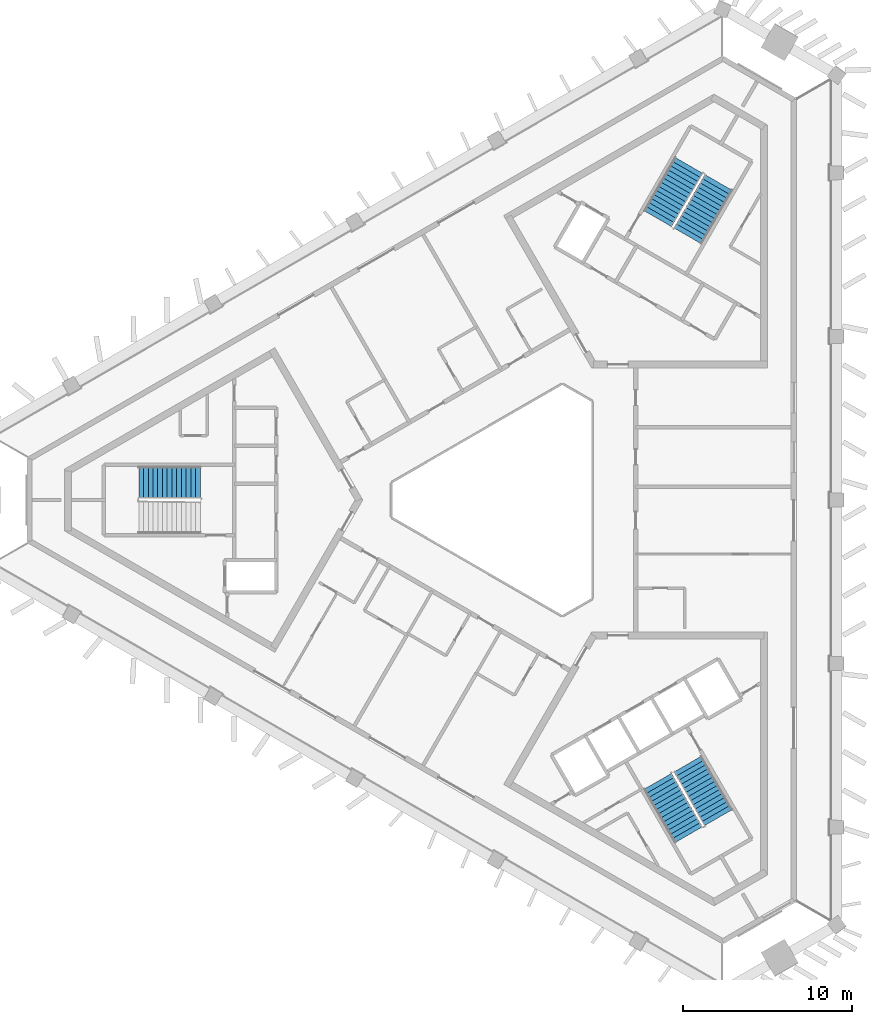
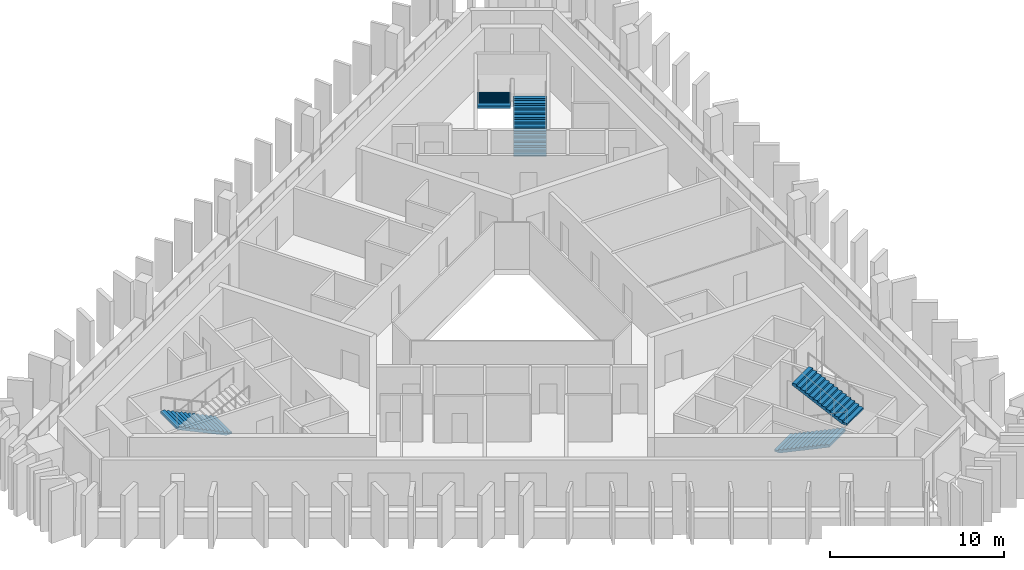
# One storey, part 6 of 9: 5 stair flights, 3 elements without a shape of their own.
"""IFC4 building model written with IfcOpenShell, lengths in metres."""

from ifc_helpers import new_model, si_unit, direction, frame, origin, place, context, subcontext, project, spatial, polyline, outline, extrude, material, type_object, element, aggregate, save


model = new_model("IFC4")

# Units and contexts
model_context = context("Model", 3, precision=1e-05, world=origin(), true_north=direction((0.0, 1.0)))
body_context = subcontext(model_context, "Body", "Model", "MODEL_VIEW")
ifc_project = project(units=[si_unit("LENGTHUNIT", "METRE"), si_unit("AREAUNIT", "SQUARE_METRE"), si_unit("VOLUMEUNIT", "CUBIC_METRE"), si_unit("PLANEANGLEUNIT", "RADIAN"), si_unit("MASSUNIT", "GRAM", prefix="KILO")], contexts=[model_context])

# Site, building, storey
site_placement = place(None, origin())
site = spatial("IfcSite", under=ifc_project, at=site_placement, CompositionType="ELEMENT")
building_placement = place(site_placement, origin())
building = spatial("IfcBuilding", under=site, at=building_placement, Name="Jabali Bay Hotel Tower and Convention Centre", CompositionType="ELEMENT")
storey_placement = place(building_placement, frame((0.0, 0.0, 281.199951171875)))
storey = spatial("IfcBuildingStorey", under=building, at=storey_placement, Name="L69", CompositionType="ELEMENT", Elevation=281.199951171875)

# Stair, stair flight
ifc_material = material(Name="Concrete C40", Category="concrete")
stair_type = type_object("IfcStairType", Name="Exit stair 1900", PredefinedType="HALF_TURN_STAIR", material=ifc_material)
stair_1_placement = place(storey_placement, origin())
stair_1 = element("IfcStair", 1, at=stair_1_placement, inside=storey, type_object=stair_type, Name="L69 Exit Stair 1", PredefinedType="HALF_TURN_STAIR")
stair_flight_type = type_object("IfcStairFlightType", Name="Stair flight concrete 150", PredefinedType="STRAIGHT", material=ifc_material)
stair_flight_1_placement = place(storey_placement, frame((56.419921875, 81.02490234375, 0.0), z_axis=(0.0, 0.0, 1.0), x_axis=(-1.0, 0.0, 0.0)))
stair_flight_1 = element("IfcStairFlight", 2, at=stair_flight_1_placement, type_object=stair_flight_type, Name="ST1 flight 1", NumberOfRisers=14, NumberOfTreads=13, PredefinedType="STRAIGHT", RiserHeight=0.132142857, TreadLength=0.28, context=body_context, shape_type="SweptSolid", body=[
    extrude(outline(polyline([(0.0, 0.0), (0.0, 0.132080078125), (0.280029296875, 0.132080078125), (0.280029296875, 0.264404296875), (0.56005859375, 0.264404296875), (0.56005859375, 0.396484375), (0.840087890625, 0.396484375), (0.840087890625, 0.528564453125), (1.1201171875, 0.528564453125), (1.1201171875, 0.66064453125), (1.39990234375, 0.66064453125), (1.39990234375, 0.79296875), (1.679931640625, 0.79296875), (1.679931640625, 0.925048828125), (1.9599609375, 0.925048828125), (1.9599609375, 1.05712890625), (2.239990234375, 1.05712890625), (2.239990234375, 1.189208984375), (2.52001953125, 1.189208984375), (2.52001953125, 1.321533203125), (2.800048828125, 1.321533203125), (2.800048828125, 1.45361328125), (3.080078125, 1.45361328125), (3.080078125, 1.585693359375), (3.360107421875, 1.585693359375), (3.360107421875, 1.7177734375), (3.639892578125, 1.7177734375), (3.639892578125, 1.85009765625), (3.639892578125, 1.552001953125), (0.351318359375, 0.0), (0.0, 0.0)])), frame((0.0, 0.949951171875, 0.0), z_axis=(0.0, -1.0, 0.0), x_axis=(1.0, 0.0, 0.0)), (0.0, 0.0, 1.0), 1.89990234375),
])
aggregate(stair_1, [stair_flight_1])

# Stair, stair flights
stair_2_placement = place(storey_placement, origin())
stair_2 = element("IfcStair", 3, at=stair_2_placement, inside=storey, type_object=stair_type, Name="L69 Exit Stair 2", PredefinedType="HALF_TURN_STAIR")
stair_flight_2_placement = place(storey_placement, frame((85.177734375, 95.578369140625, 0.0), z_axis=(0.0, 0.0, 1.0), x_axis=(0.5, 0.866025403784, 0.0)))
stair_flight_2 = element("IfcStairFlight", 4, at=stair_flight_2_placement, type_object=stair_flight_type, Name="ST2 flight 1", NumberOfRisers=14, NumberOfTreads=13, PredefinedType="STRAIGHT", RiserHeight=0.132142857, TreadLength=0.28, context=body_context, shape_type="SweptSolid", body=[
    extrude(outline(polyline([(0.0, 0.0), (0.0, 0.132080078125), (0.280029296875, 0.132080078125), (0.280029296875, 0.264404296875), (0.56005859375, 0.264404296875), (0.56005859375, 0.396484375), (0.840087890625, 0.396484375), (0.840087890625, 0.528564453125), (1.1201171875, 0.528564453125), (1.1201171875, 0.66064453125), (1.39990234375, 0.66064453125), (1.39990234375, 0.79296875), (1.679931640625, 0.79296875), (1.679931640625, 0.925048828125), (1.9599609375, 0.925048828125), (1.9599609375, 1.05712890625), (2.239990234375, 1.05712890625), (2.239990234375, 1.189208984375), (2.52001953125, 1.189208984375), (2.52001953125, 1.321533203125), (2.800048828125, 1.321533203125), (2.800048828125, 1.45361328125), (3.080078125, 1.45361328125), (3.080078125, 1.585693359375), (3.360107421875, 1.585693359375), (3.360107421875, 1.7177734375), (3.639892578125, 1.7177734375), (3.639892578125, 1.85009765625), (3.639892578125, 1.552001953125), (0.351318359375, 0.0), (0.0, 0.0)])), frame((0.0, 0.949951171875, 0.0), z_axis=(0.0, -1.0, 0.0), x_axis=(1.0, 0.0, 0.0)), (0.0, 0.0, 1.0), 1.89990234375),
])
stair_flight_3_placement = place(storey_placement, frame((85.222412109375, 99.755615234375, 1.85009765625), z_axis=(0.0, 0.0, 1.0), x_axis=(-0.5, -0.866025403784, 0.0)))
stair_flight_3 = element("IfcStairFlight", 5, at=stair_flight_3_placement, type_object=stair_flight_type, Name="ST2 flight 2", NumberOfRisers=14, NumberOfTreads=13, PredefinedType="STRAIGHT", RiserHeight=0.132142857, TreadLength=0.28, context=body_context, shape_type="SweptSolid", body=[
    extrude(outline(polyline([(0.0, 0.0), (0.0, 0.132080078125), (0.280029296875, 0.132080078125), (0.280029296875, 0.264404296875), (0.56005859375, 0.264404296875), (0.56005859375, 0.396484375), (0.840087890625, 0.396484375), (0.840087890625, 0.528564453125), (1.1201171875, 0.528564453125), (1.1201171875, 0.66064453125), (1.39990234375, 0.66064453125), (1.39990234375, 0.79296875), (1.679931640625, 0.79296875), (1.679931640625, 0.925048828125), (1.9599609375, 0.925048828125), (1.9599609375, 1.05712890625), (2.239990234375, 1.05712890625), (2.239990234375, 1.189208984375), (2.52001953125, 1.189208984375), (2.52001953125, 1.321533203125), (2.800048828125, 1.321533203125), (2.800048828125, 1.45361328125), (3.080078125, 1.45361328125), (3.080078125, 1.585693359375), (3.360107421875, 1.585693359375), (3.360107421875, 1.7177734375), (3.639892578125, 1.7177734375), (3.639892578125, 1.85009765625), (3.639892578125, 1.552001953125), (0.351318359375, 0.0), (0.0, 0.0)])), frame((0.0, 0.949951171875, 0.0), z_axis=(0.0, -1.0, 0.0), x_axis=(1.0, 0.0, 0.0)), (0.0, 0.0, 1.0), 1.89990234375),
])
aggregate(stair_2, [stair_flight_2, stair_flight_3])

stair_3_placement = place(storey_placement, origin())
stair_3 = element("IfcStair", 6, at=stair_3_placement, inside=storey, type_object=stair_type, Name="L69 Exit Stair 3", PredefinedType="HALF_TURN_STAIR")
stair_flight_4_placement = place(storey_placement, frame((83.40234375, 63.396728515625, 0.0), z_axis=(0.0, 0.0, 1.0), x_axis=(0.5, -0.866025403784, 0.0)))
stair_flight_4 = element("IfcStairFlight", 7, at=stair_flight_4_placement, type_object=stair_flight_type, Name="ST3 flight 1", NumberOfRisers=14, NumberOfTreads=13, PredefinedType="STRAIGHT", RiserHeight=0.132142857, TreadLength=0.28, context=body_context, shape_type="SweptSolid", body=[
    extrude(outline(polyline([(0.0, 0.0), (0.0, 0.132080078125), (0.280029296875, 0.132080078125), (0.280029296875, 0.264404296875), (0.56005859375, 0.264404296875), (0.56005859375, 0.396484375), (0.840087890625, 0.396484375), (0.840087890625, 0.528564453125), (1.1201171875, 0.528564453125), (1.1201171875, 0.66064453125), (1.39990234375, 0.66064453125), (1.39990234375, 0.79296875), (1.679931640625, 0.79296875), (1.679931640625, 0.925048828125), (1.9599609375, 0.925048828125), (1.9599609375, 1.05712890625), (2.239990234375, 1.05712890625), (2.239990234375, 1.189208984375), (2.52001953125, 1.189208984375), (2.52001953125, 1.321533203125), (2.800048828125, 1.321533203125), (2.800048828125, 1.45361328125), (3.080078125, 1.45361328125), (3.080078125, 1.585693359375), (3.360107421875, 1.585693359375), (3.360107421875, 1.7177734375), (3.639892578125, 1.7177734375), (3.639892578125, 1.85009765625), (3.639892578125, 1.552001953125), (0.351318359375, 0.0), (0.0, 0.0)])), frame((0.0, 0.949951171875, 0.0), z_axis=(0.0, -1.0, 0.0), x_axis=(1.0, 0.0, 0.0)), (0.0, 0.0, 1.0), 1.89990234375),
])
stair_flight_5_placement = place(storey_placement, frame((86.99755859375, 61.26953125, 1.85009765625), z_axis=(0.0, 0.0, 1.0), x_axis=(-0.5, 0.866025403784, 0.0)))
stair_flight_5 = element("IfcStairFlight", 8, at=stair_flight_5_placement, type_object=stair_flight_type, Name="ST3 flight 2", NumberOfRisers=14, NumberOfTreads=13, PredefinedType="STRAIGHT", RiserHeight=0.132142857, TreadLength=0.28, context=body_context, shape_type="SweptSolid", body=[
    extrude(outline(polyline([(0.0, 0.0), (0.0, 0.132080078125), (0.280029296875, 0.132080078125), (0.280029296875, 0.264404296875), (0.56005859375, 0.264404296875), (0.56005859375, 0.396484375), (0.840087890625, 0.396484375), (0.840087890625, 0.528564453125), (1.1201171875, 0.528564453125), (1.1201171875, 0.66064453125), (1.39990234375, 0.66064453125), (1.39990234375, 0.79296875), (1.679931640625, 0.79296875), (1.679931640625, 0.925048828125), (1.9599609375, 0.925048828125), (1.9599609375, 1.05712890625), (2.239990234375, 1.05712890625), (2.239990234375, 1.189208984375), (2.52001953125, 1.189208984375), (2.52001953125, 1.321533203125), (2.800048828125, 1.321533203125), (2.800048828125, 1.45361328125), (3.080078125, 1.45361328125), (3.080078125, 1.585693359375), (3.360107421875, 1.585693359375), (3.360107421875, 1.7177734375), (3.639892578125, 1.7177734375), (3.639892578125, 1.85009765625), (3.639892578125, 1.552001953125), (0.351318359375, 0.0), (0.0, 0.0)])), frame((0.0, 0.949951171875, 0.0), z_axis=(0.0, -1.0, 0.0), x_axis=(1.0, 0.0, 0.0)), (0.0, 0.0, 1.0), 1.89990234375),
])
aggregate(stair_3, [stair_flight_4, stair_flight_5])

save(model, "model.ifc")
